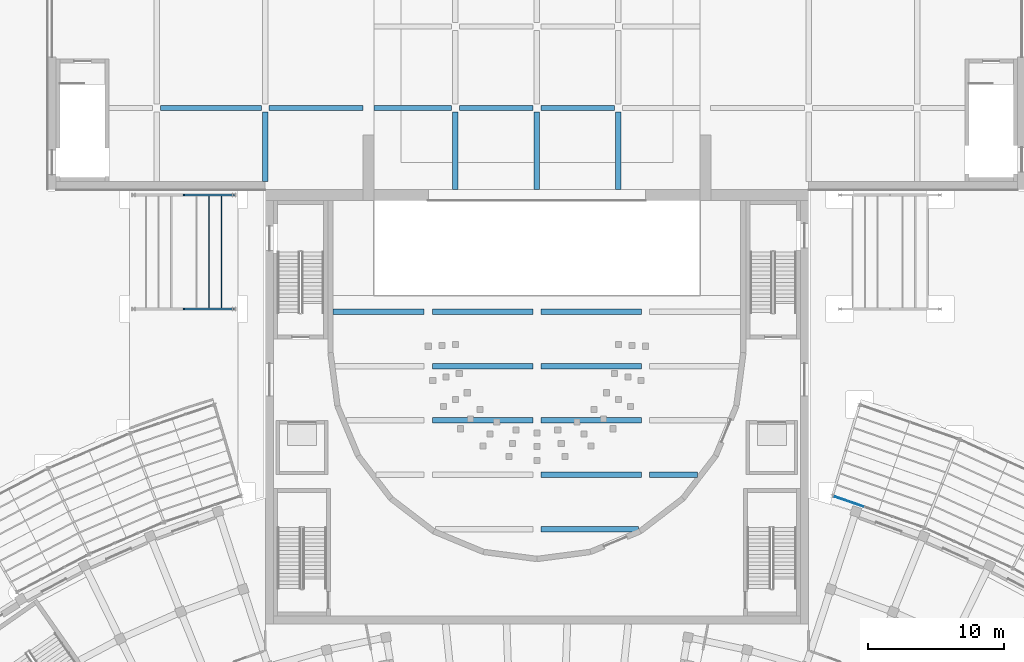
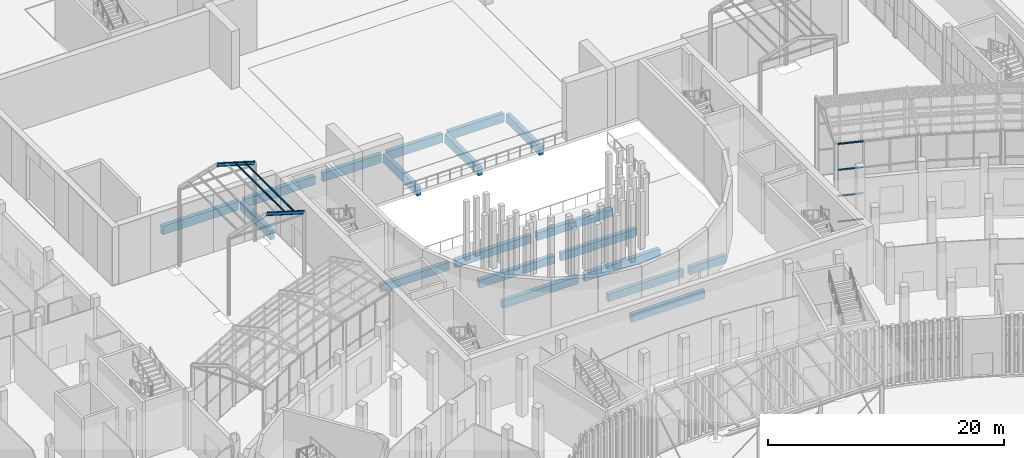
# One storey, part 45 of 155: 21 beams, 6 members, 1 element without a shape of its own.
"""IFC4 building model written with IfcOpenShell, lengths in metres."""

from ifc_helpers import new_model, si_unit, direction, frame, origin, origin_2d, place, context, subcontext, project, spatial, rectangle, i_section, extrude, material, layer, layer_set, material_profile, profile_set, type_object, element, aggregate, save


model = new_model("IFC4")

# Units and contexts
model_context = context("Model", 3, precision=1e-05, world=origin(), true_north=direction((0.0, 1.0)))
body_context = subcontext(model_context, "Body", "Model", "MODEL_VIEW")
ifc_project = project(units=[si_unit("LENGTHUNIT", "METRE"), si_unit("AREAUNIT", "SQUARE_METRE"), si_unit("VOLUMEUNIT", "CUBIC_METRE"), si_unit("PLANEANGLEUNIT", "RADIAN"), si_unit("MASSUNIT", "GRAM", prefix="KILO")], contexts=[model_context])

# Site, building, storey
site_placement = place(None, origin())
site = spatial("IfcSite", under=ifc_project, at=site_placement, CompositionType="ELEMENT")
building_placement = place(site_placement, origin())
building = spatial("IfcBuilding", under=site, at=building_placement, Name="Lunette Opera House", CompositionType="ELEMENT")
storey_placement = place(building_placement, origin())
storey = spatial("IfcBuildingStorey", under=building, at=storey_placement, Name="L00", CompositionType="ELEMENT", Elevation=0.0)

# Members
ifc_material_1 = material(Name="Steel S355", Category="steel")
ifc_material_profile_1 = material_profile(ifc_material_1, i_section(OverallWidth=0.08203125, OverallDepth=0.159912109375, WebThickness=0.0048828125, FlangeThickness=0.00732421875, FilletRadius=0.009033203125, at=origin_2d()), Name="IPE 160")
ifc_profile_set_1 = profile_set([ifc_material_profile_1], Name="Steel S355")
member_type_1 = type_object("IfcMemberType", Name="PURLIN IPE 160", PredefinedType="PURLIN", material=ifc_profile_set_1)
for number, where, z_axis, x_axis, name in (
    (1, (72.77490234375, 87.199951171875, 8.47509765625), (0.0, 1.0, 0.0), (-1.0, 0.0, 0.0), "mem-PP-L00-PUFLW2B1872"),
    (2, (71.85009765625, 87.199951171875, 8.75), (0.0, 1.0, 0.0), (-1.0, 0.0, 0.0), "mem-PP-L00-PUFLW2B2872"),
):
    element("IfcMember", number, at=place(storey_placement, frame(where, z_axis=z_axis, x_axis=x_axis)), inside=storey, type_object=member_type_1, Name=name, PredefinedType="PURLIN", context=body_context, shape_type="SweptSolid", body=[
        extrude(i_section(OverallWidth=0.08203125, OverallDepth=0.159912109375, WebThickness=0.0048828125, FlangeThickness=0.00732421875, FilletRadius=0.009033203125, at=origin_2d()), origin(), (0.0, 0.0, 1.0), 8.400146484375),
    ])

# Beams
ifc_material_2 = material(Name="Concrete C35/45", Category="concrete")
ifc_material_profile_2 = material_profile(ifc_material_2, rectangle(XDim=0.39990234375, YDim=0.800048828125, at=origin_2d()), Name="RC BEAM 400X800")
ifc_profile_set_2 = profile_set([ifc_material_profile_2], Name="Concrete C35/45")
beam_type_1 = type_object("IfcBeamType", Name="RC BEAM 400X800", PredefinedType="BEAM", material=ifc_profile_set_2)
beam_1_placement = place(storey_placement, frame((96.300048828125, 71.0, -0.85595703125), z_axis=(1.0, 0.0, 0.0), x_axis=(0.0, 1.0, 0.0)))
element("IfcBeam", 3, at=beam_1_placement, inside=storey, type_object=beam_type_1, Name="beam-AU-L00-ST71-2", PredefinedType="BEAM", context=body_context, shape_type="SweptSolid", body=[
    extrude(rectangle(XDim=0.39990234375, YDim=0.800048828125, at=origin_2d()), origin(), (0.0, 0.0, 1.0), 7.176025390625),
])
beam_2_placement = place(storey_placement, frame((96.300048828125, 75.0, -1.1689453125), z_axis=(1.0, 0.0, 0.0), x_axis=(0.0, 1.0, 0.0)))
element("IfcBeam", 4, at=beam_2_placement, inside=storey, type_object=beam_type_1, Name="beam-AU-L00-ST75-3", PredefinedType="BEAM", context=body_context, shape_type="SweptSolid", body=[
    extrude(rectangle(XDim=0.39990234375, YDim=0.800048828125, at=origin_2d()), origin(), (0.0, 0.0, 1.0), 7.39990234375),
])
beam_3_placement = place(storey_placement, frame((104.300048828125, 75.0, -1.1689453125), z_axis=(1.0, 0.0, 0.0), x_axis=(0.0, 1.0, 0.0)))
element("IfcBeam", 5, at=beam_3_placement, inside=storey, type_object=beam_type_1, Name="beam-AU-L00-ST75-4", PredefinedType="BEAM", context=body_context, shape_type="SweptSolid", body=[
    extrude(rectangle(XDim=0.39990234375, YDim=0.800048828125, at=origin_2d()), origin(), (0.0, 0.0, 1.0), 3.5400390625),
])
for number, where, z_axis, x_axis, name in (
    (6, (88.300048828125, 79.0, -1.48095703125), (1.0, 0.0, 0.0), (0.0, 1.0, 0.0), "beam-AU-L00-ST79-2"),
    (7, (96.300048828125, 79.0, -1.48095703125), (1.0, 0.0, 0.0), (0.0, 1.0, 0.0), "beam-AU-L00-ST79-3"),
    (8, (88.300048828125, 83.0, -1.7939453125), (1.0, 0.0, 0.0), (0.0, 1.0, 0.0), "beam-AU-L00-ST83-2"),
    (9, (96.300048828125, 83.0, -1.7939453125), (1.0, 0.0, 0.0), (0.0, 1.0, 0.0), "beam-AU-L00-ST83-3"),
):
    element("IfcBeam", number, at=place(storey_placement, frame(where, z_axis=z_axis, x_axis=x_axis)), inside=storey, type_object=beam_type_1, Name=name, PredefinedType="BEAM", context=body_context, shape_type="SweptSolid", body=[
        extrude(rectangle(XDim=0.39990234375, YDim=0.800048828125, at=origin_2d()), origin(), (0.0, 0.0, 1.0), 7.39990234375),
    ])
beam_4_placement = place(storey_placement, frame((81.0, 87.0, -2.10595703125), z_axis=(1.0, 0.0, 0.0), x_axis=(0.0, 1.0, 0.0)))
element("IfcBeam", 10, at=beam_4_placement, inside=storey, type_object=beam_type_1, Name="beam-AU-L00-ST87-1", PredefinedType="BEAM", context=body_context, shape_type="SweptSolid", body=[
    extrude(rectangle(XDim=0.39990234375, YDim=0.800048828125, at=origin_2d()), origin(), (0.0, 0.0, 1.0), 6.699951171875),
])
for number, where, z_axis, x_axis, name in (
    (11, (88.300048828125, 87.0, -2.10595703125), (1.0, 0.0, 0.0), (0.0, 1.0, 0.0), "beam-AU-L00-ST87-2"),
    (12, (96.300048828125, 87.0, -2.10595703125), (1.0, 0.0, 0.0), (0.0, 1.0, 0.0), "beam-AU-L00-ST87-3"),
):
    element("IfcBeam", number, at=place(storey_placement, frame(where, z_axis=z_axis, x_axis=x_axis)), inside=storey, type_object=beam_type_1, Name=name, PredefinedType="BEAM", context=body_context, shape_type="SweptSolid", body=[
        extrude(rectangle(XDim=0.39990234375, YDim=0.800048828125, at=origin_2d()), origin(), (0.0, 0.0, 1.0), 7.39990234375),
    ])
ifc_material_3 = material(Name="Concrete C35/45", Category="concrete")
ifc_material_profile_3 = material_profile(ifc_material_3, rectangle(XDim=0.39990234375, YDim=0.89990234375, at=origin_2d()), Name="RC BEAM 400X900")
ifc_profile_set_3 = profile_set([ifc_material_profile_3], Name="Concrete C35/45")
beam_type_2 = type_object("IfcBeamType", Name="RC BEAM 400X900", PredefinedType="BEAM", material=ifc_profile_set_3)
beam_5_placement = place(storey_placement, frame((83.989990234375, 102.0, -0.75), z_axis=(1.0, 0.0, 0.0), x_axis=(0.0, 1.0, 0.0)))
element("IfcBeam", 13, at=beam_5_placement, inside=storey, type_object=beam_type_2, Name="beam-ST-L00-TB1-X1020-1", PredefinedType="BEAM", context=body_context, shape_type="SweptSolid", body=[
    extrude(rectangle(XDim=0.39990234375, YDim=0.89990234375, at=origin_2d()), origin(), (0.0, 0.0, 1.0), 5.719970703125),
])
for number, where, z_axis, x_axis, name in (
    (14, (90.2900390625, 102.0, -0.75), (1.0, 0.0, 0.0), (0.0, 1.0, 0.0), "beam-ST-L00-TB1-X1020-2"),
    (15, (96.2900390625, 102.0, -0.75), (1.0, 0.0, 0.0), (0.0, 1.0, 0.0), "beam-ST-L00-TB1-X1020-3"),
):
    element("IfcBeam", number, at=place(storey_placement, frame(where, z_axis=z_axis, x_axis=x_axis)), inside=storey, type_object=beam_type_2, Name=name, PredefinedType="BEAM", context=body_context, shape_type="SweptSolid", body=[
        extrude(rectangle(XDim=0.39990234375, YDim=0.89990234375, at=origin_2d()), origin(), (0.0, 0.0, 1.0), 5.419921875),
    ])
for number, where, z_axis, x_axis, name in (
    (16, (90.0, 95.989990234375, -0.75), (0.0, 1.0, 0.0), (-1.0, 0.0, 0.0), "beam-ST-L00-TB1-Y900-1"),
    (17, (96.0, 95.989990234375, -0.75), (0.0, 1.0, 0.0), (-1.0, 0.0, 0.0), "beam-ST-L00-TB1-Y960-1"),
    (18, (102.0, 95.989990234375, -0.75), (0.0, 1.0, 0.0), (-1.0, 0.0, 0.0), "beam-ST-L00-TB1-Y1020-1"),
):
    element("IfcBeam", number, at=place(storey_placement, frame(where, z_axis=z_axis, x_axis=x_axis)), inside=storey, type_object=beam_type_2, Name=name, PredefinedType="BEAM", context=body_context, shape_type="SweptSolid", body=[
        extrude(rectangle(XDim=0.39990234375, YDim=0.89990234375, at=origin_2d()), origin(), (0.0, 0.0, 1.0), 5.719970703125),
    ])
beam_6_placement = place(storey_placement, frame((68.2900390625, 102.0, -0.75), z_axis=(1.0, 0.0, 0.0), x_axis=(0.0, 1.0, 0.0)))
element("IfcBeam", 19, at=beam_6_placement, inside=storey, type_object=beam_type_2, Name="beam-ST-L00-SW-X1020-2", PredefinedType="BEAM", context=body_context, shape_type="SweptSolid", body=[
    extrude(rectangle(XDim=0.39990234375, YDim=0.89990234375, at=origin_2d()), origin(), (0.0, 0.0, 1.0), 7.419921875),
])
beam_7_placement = place(storey_placement, frame((76.2900390625, 102.0, -0.75), z_axis=(1.0, 0.0, 0.0), x_axis=(0.0, 1.0, 0.0)))
element("IfcBeam", 20, at=beam_7_placement, inside=storey, type_object=beam_type_2, Name="beam-ST-L00-SW-X1020-3", PredefinedType="BEAM", context=body_context, shape_type="SweptSolid", body=[
    extrude(rectangle(XDim=0.39990234375, YDim=0.89990234375, at=origin_2d()), origin(), (0.0, 0.0, 1.0), 6.919921875),
])
beam_8_placement = place(storey_placement, frame((76.0, 96.590087890625, -0.75), z_axis=(0.0, 1.0, 0.0), x_axis=(-1.0, 0.0, 0.0)))
element("IfcBeam", 21, at=beam_8_placement, inside=storey, type_object=beam_type_2, Name="beam-ST-L00-SW-Y760-1", PredefinedType="BEAM", context=body_context, shape_type="SweptSolid", body=[
    extrude(rectangle(XDim=0.39990234375, YDim=0.89990234375, at=origin_2d()), origin(), (0.0, 0.0, 1.0), 5.119873046875),
])
ifc_material_4 = material(Name="Steel S355", Category="steel")
ifc_material_profile_4 = material_profile(ifc_material_4, i_section(OverallWidth=0.159912109375, OverallDepth=0.330078125, WebThickness=0.007568359375, FlangeThickness=0.011474609375, FilletRadius=0.01806640625, at=origin_2d()), Name="IPE 330")
ifc_profile_set_4 = profile_set([ifc_material_profile_4], Name="Steel S355")
beam_type_3 = type_object("IfcBeamType", Name="STEEL BEAM IPE 330", PredefinedType="BEAM", material=ifc_profile_set_4)
for number, where, z_axis, x_axis, name in (
    (22, (73.699951171875, 87.199951171875, 8.14990234375), (-0.95852841803, 0.0, 0.284996968106), (0.0, -1.0, 0.0), "beam-PP-L00-FRW1B"),
    (23, (73.699951171875, 95.60009765625, 8.14990234375), (-0.95852841803, 0.0, 0.284996968106), (0.0, -1.0, 0.0), "beam-PP-L00-FRW2B"),
):
    element("IfcBeam", number, at=place(storey_placement, frame(where, z_axis=z_axis, x_axis=x_axis)), inside=storey, type_object=beam_type_3, Name=name, PredefinedType="BEAM", context=body_context, shape_type="SweptSolid", body=[
        extrude(i_section(OverallWidth=0.159912109375, OverallDepth=0.330078125, WebThickness=0.007568359375, FlangeThickness=0.011474609375, FilletRadius=0.01806640625, at=origin_2d()), origin(), (0.0, 0.0, 1.0), 3.860107421875),
    ])

# Curtain wall, members
ifc_material_5 = material(Name="Aluminium", Category="aluminium")
ifc_layer = layer(ifc_material_5, 0.139892578125)
ifc_layer_set = layer_set([ifc_layer], Name="Aluminium")
curtain_wall_type = type_object("IfcCurtainWallType", Name="PASSAGE CURTAIN WALL", PredefinedType="NOTDEFINED", material=ifc_layer_set)
curtain_wall_placement = place(storey_placement, origin())
curtain_wall = element("IfcCurtainWall", 24, at=curtain_wall_placement, inside=storey, type_object=curtain_wall_type, Name="Passage Curtain Wall EI1 L00", PredefinedType="NOTDEFINED")
ifc_material_6 = material(Name="Aluminium", Category="aluminium")
ifc_material_profile_5 = material_profile(ifc_material_6, rectangle(XDim=0.06005859375, YDim=0.139892578125, at=origin_2d()), Name="TRANSOM 60 X 140")
ifc_profile_set_5 = profile_set([ifc_material_profile_5], Name="Aluminium")
member_type_2 = type_object("IfcMemberType", Name="TRANSOM 60 X 140", PredefinedType="USERDEFINED", material=ifc_profile_set_5)
member_1_placement = place(storey_placement, frame((117.95458984375, 73.377197265625, 0.030029296875), z_axis=(0.94447880065, -0.328572359035, 0.0), x_axis=(0.328572359035, 0.94447880065, 0.0)))
member_1 = element("IfcMember", 25, at=member_1_placement, type_object=member_type_2, Name="PP-X2001 transom 1.1", ObjectType="TRANSOM", PredefinedType="USERDEFINED", context=body_context, shape_type="SweptSolid", body=[
    extrude(rectangle(XDim=0.06005859375, YDim=0.139892578125, at=origin_2d()), origin(), (0.0, 0.0, 1.0), 2.1962890625),
])
member_2_placement = place(storey_placement, frame((117.95458984375, 73.377197265625, 2.699951171875), z_axis=(0.94447880065, -0.328572359035, 0.0), x_axis=(0.328572359035, 0.94447880065, 0.0)))
member_2 = element("IfcMember", 26, at=member_2_placement, type_object=member_type_2, Name="PP-X2001 transom 1.2", ObjectType="TRANSOM", PredefinedType="USERDEFINED", context=body_context, shape_type="SweptSolid", body=[
    extrude(rectangle(XDim=0.06005859375, YDim=0.139892578125, at=origin_2d()), origin(), (0.0, 0.0, 1.0), 2.1962890625),
])
member_3_placement = place(storey_placement, frame((117.95458984375, 73.377197265625, 5.39990234375), z_axis=(0.94447880065, -0.328572359035, 0.0), x_axis=(0.328572359035, 0.94447880065, 0.0)))
member_3 = element("IfcMember", 27, at=member_3_placement, type_object=member_type_2, Name="PP-X2001 transom 1.3", ObjectType="TRANSOM", PredefinedType="USERDEFINED", context=body_context, shape_type="SweptSolid", body=[
    extrude(rectangle(XDim=0.06005859375, YDim=0.139892578125, at=origin_2d()), origin(), (0.0, 0.0, 1.0), 2.1962890625),
])
member_4_placement = place(storey_placement, frame((117.95458984375, 73.377197265625, 8.070068359375), z_axis=(0.94447880065, -0.328572359035, 0.0), x_axis=(0.328572359035, 0.94447880065, 0.0)))
member_4 = element("IfcMember", 28, at=member_4_placement, type_object=member_type_2, Name="PP-X2001 transom 1.4", ObjectType="TRANSOM", PredefinedType="USERDEFINED", context=body_context, shape_type="SweptSolid", body=[
    extrude(rectangle(XDim=0.06005859375, YDim=0.139892578125, at=origin_2d()), origin(), (0.0, 0.0, 1.0), 2.1962890625),
])
aggregate(curtain_wall, [member_1, member_2, member_3, member_4])

save(model, "model.ifc")
